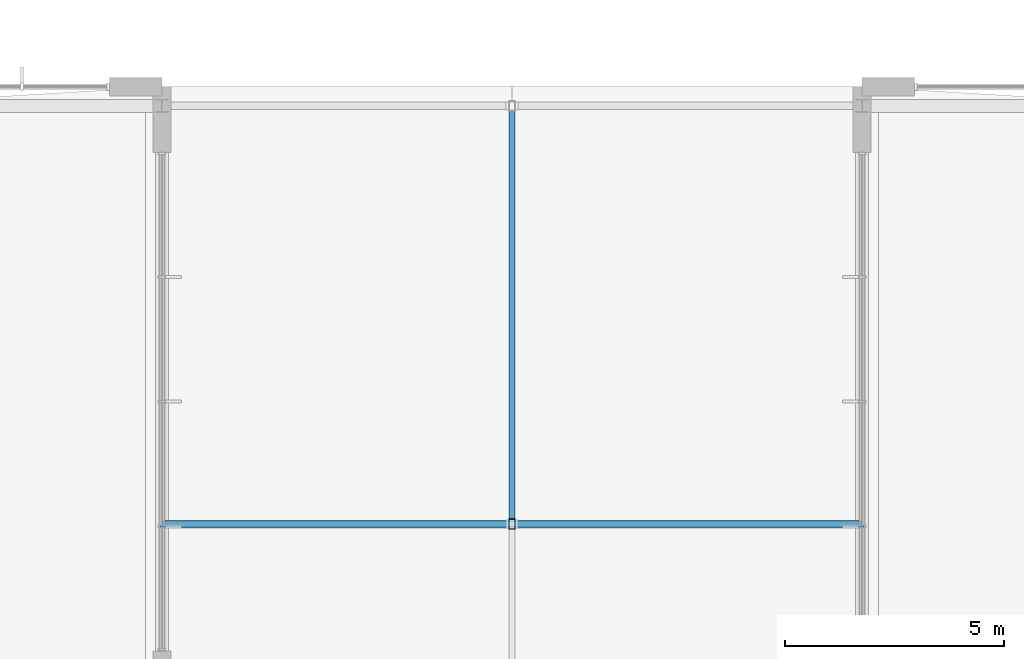
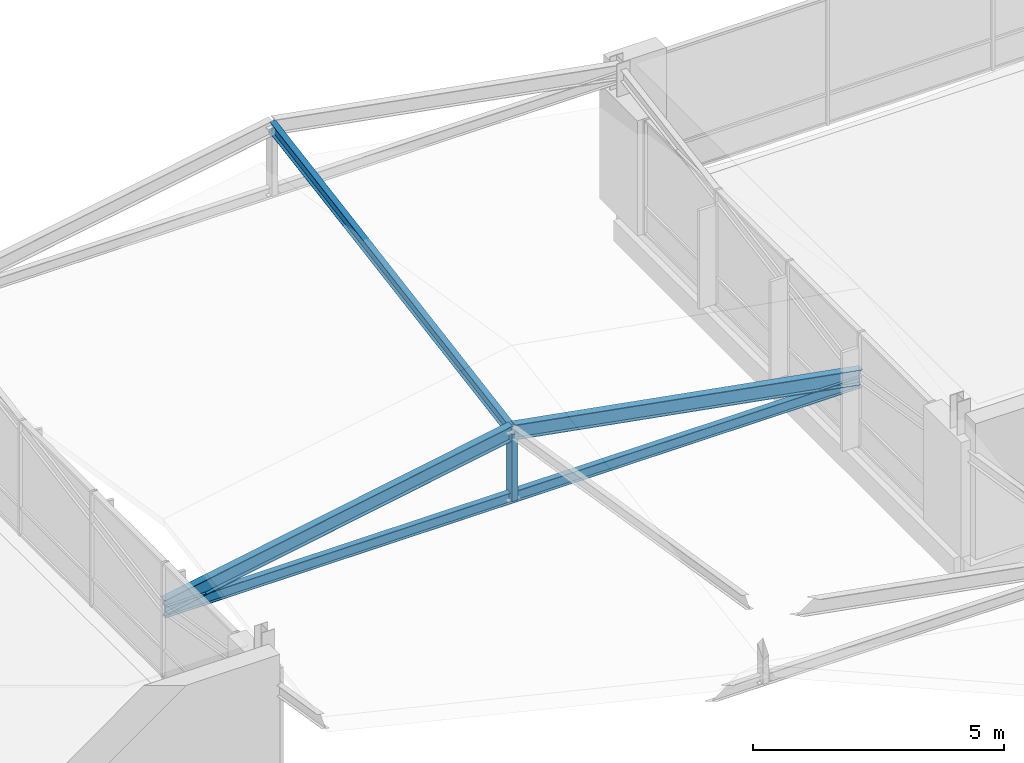
# One storey, part 96 of 189: 4 members, 1 beam.
"""IFC4 building model written with IfcOpenShell, lengths in metres."""

from ifc_helpers import new_model, si_unit, direction, frame, origin, origin_2d, place, context, subcontext, project, spatial, hollow_rectangle, i_section, extrude, material, material_profile, profile_set, type_object, element, save


model = new_model("IFC4")

# Units and contexts
model_context = context("Model", 3, precision=1e-05, world=origin(), true_north=direction((0.0, 1.0)))
body_context = subcontext(model_context, "Body", "Model", "MODEL_VIEW")
ifc_project = project(units=[si_unit("LENGTHUNIT", "METRE"), si_unit("AREAUNIT", "SQUARE_METRE"), si_unit("VOLUMEUNIT", "CUBIC_METRE"), si_unit("PLANEANGLEUNIT", "RADIAN"), si_unit("MASSUNIT", "GRAM", prefix="KILO")], contexts=[model_context])

# Site, building, storey
site_placement = place(None, origin())
site = spatial("IfcSite", under=ifc_project, at=site_placement, CompositionType="ELEMENT")
building_placement = place(site_placement, origin())
building = spatial("IfcBuilding", under=site, at=building_placement, Name="Zavelmont Quarter", CompositionType="ELEMENT")
storey_placement = place(building_placement, frame((0.0, 0.0, 4.39990234375)))
storey = spatial("IfcBuildingStorey", under=building, at=storey_placement, Name="L01", CompositionType="ELEMENT", Elevation=4.39990234375)

# Beam
ifc_material = material(Name="Steel S355", Category="steel")
ifc_material_profile_1 = material_profile(ifc_material, i_section(OverallWidth=0.135009765625, OverallDepth=0.27001953125, WebThickness=0.006591796875, FlangeThickness=0.01025390625, at=origin_2d()), Name="IPE 270")
ifc_profile_set_1 = profile_set([ifc_material_profile_1], Name="Steel S355")
beam_type = type_object("IfcBeamType", Name="BM14", PredefinedType="JOIST", material=ifc_profile_set_1)
beam_placement = place(storey_placement, frame((76.0, 106.0, 1.565185546875), z_axis=(1.0, 0.0, 0.0), x_axis=(0.0, 1.0, 0.0)))
element("IfcBeam", 1, at=beam_placement, inside=storey, type_object=beam_type, Name="L01 beam BM14 12/Q to 14/Q", PredefinedType="JOIST", context=body_context, shape_type="SweptSolid", body=[
    extrude(i_section(OverallWidth=0.135009765625, OverallDepth=0.27001953125, WebThickness=0.006591796875, FlangeThickness=0.01025390625, at=origin_2d()), origin(), (0.0, 0.0, 1.0), 16.0),
])

# Members
ifc_material_profile_2 = material_profile(ifc_material, hollow_rectangle(XDim=0.139892578125, YDim=0.239990234375, WallThickness=0.010009765625, at=origin_2d()), Name="RHS 240X140X10")
ifc_profile_set_2 = profile_set([ifc_material_profile_2], Name="Steel S355")
member_type_1 = type_object("IfcMemberType", Name="CLM1", PredefinedType="CHORD", material=ifc_profile_set_2)
member_1_placement = place(storey_placement, frame((84.0, 106.0, 1.52001953125), z_axis=(0.0, 0.0, 1.0), x_axis=(1.0, 0.0, 0.0)))
element("IfcMember", 2, at=member_1_placement, inside=storey, type_object=member_type_1, Name="L01 member CLM1 13/Q to 13/Q", PredefinedType="CHORD", context=body_context, shape_type="SweptSolid", body=[
    extrude(hollow_rectangle(XDim=0.139892578125, YDim=0.239990234375, WallThickness=0.010009765625, at=origin_2d()), origin(), (0.0, 0.0, 1.0), 1.630126953125),
])
ifc_material_profile_3 = material_profile(ifc_material, i_section(OverallWidth=0.135009765625, OverallDepth=0.27001953125, WebThickness=0.006591796875, FlangeThickness=0.01025390625, at=origin_2d()), Name="IPE 270")
ifc_profile_set_3 = profile_set([ifc_material_profile_3], Name="Steel S355")
member_type_2 = type_object("IfcMemberType", Name="PR01", PredefinedType="PURLIN", material=ifc_profile_set_3)
member_2_placement = place(storey_placement, frame((84.0, 106.0, 3.150146484375), z_axis=(0.0, 0.985946642344, 0.167060523315), x_axis=(-1.0, 0.0, 0.0)))
element("IfcMember", 3, at=member_2_placement, inside=storey, type_object=member_type_2, Name="L01 member PR01 13/Q to 13/S", PredefinedType="PURLIN", context=body_context, shape_type="SweptSolid", body=[
    extrude(i_section(OverallWidth=0.135009765625, OverallDepth=0.27001953125, WebThickness=0.006591796875, FlangeThickness=0.01025390625, at=origin_2d()), origin(), (0.0, 0.0, 1.0), 9.6962890625),
])
ifc_material_profile_4 = material_profile(ifc_material, i_section(OverallWidth=0.169921875, OverallDepth=0.360107421875, WebThickness=0.008056640625, FlangeThickness=0.0126953125, at=origin_2d()), Name="IPE 360")
ifc_profile_set_4 = profile_set([ifc_material_profile_4], Name="Steel S355")
member_type_3 = type_object("IfcMemberType", Name="RFM2", PredefinedType="RAFTER", material=ifc_profile_set_4)
for number, where, z_axis, x_axis, name in (
    (4, (76.0, 106.0, 1.7001953125), (0.983969211964, 0.0, 0.178338413997), (0.0, 1.0, 0.0), "L01 member RFM2 12/Q to 13/Q"),
    (5, (84.0, 106.0, 3.150146484375), (0.983969211964, 0.0, -0.178338413997), (0.0, 1.0, 0.0), "L01 member RFM2 13/Q to 14/Q"),
):
    element("IfcMember", number, at=place(storey_placement, frame(where, z_axis=z_axis, x_axis=x_axis)), inside=storey, type_object=member_type_3, Name=name, PredefinedType="RAFTER", context=body_context, shape_type="SweptSolid", body=[
        extrude(i_section(OverallWidth=0.169921875, OverallDepth=0.360107421875, WebThickness=0.008056640625, FlangeThickness=0.0126953125, at=origin_2d()), origin(), (0.0, 0.0, 1.0), 8.13037109375),
    ])

save(model, "model.ifc")
